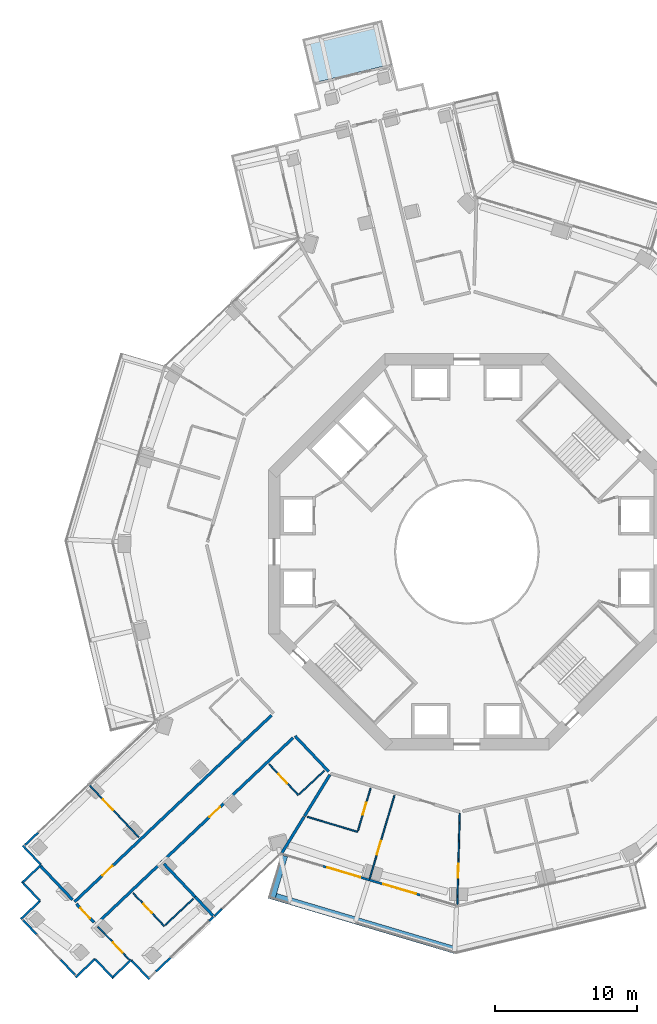
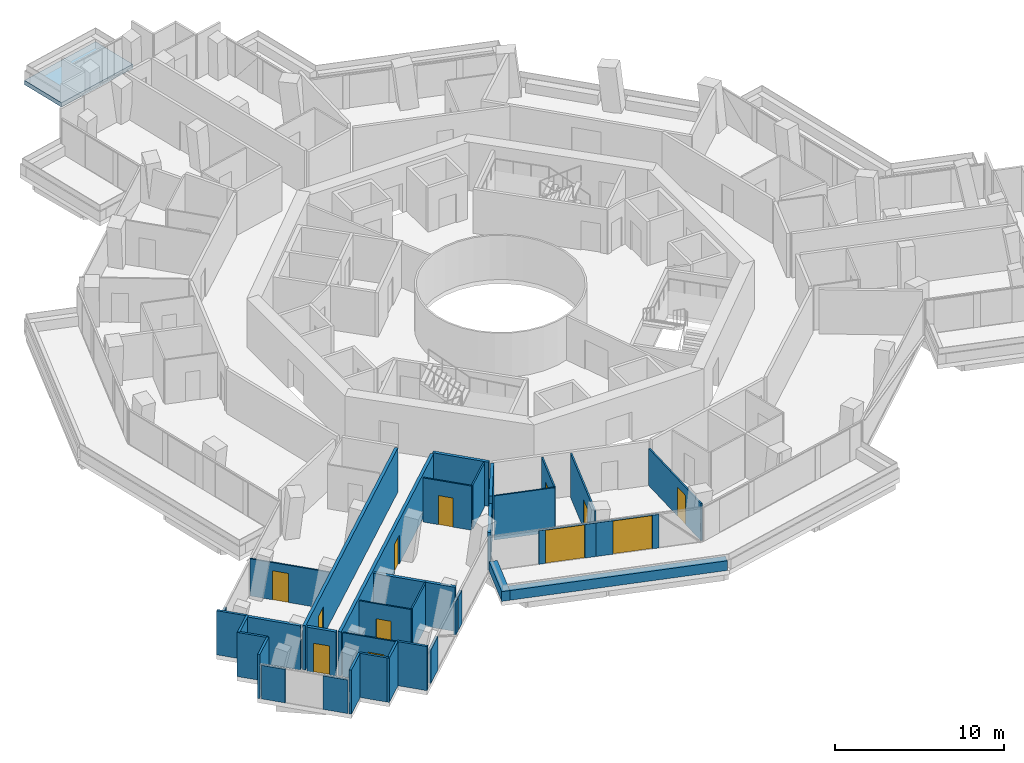
# One storey, part 18 of 27: 37 walls, 12 doors, 1 slab, 12 openings.
"""IFC4 building model written with IfcOpenShell, lengths in metres."""

from ifc_helpers import new_model, si_unit, direction, frame, frame_2d, origin, place, context, subcontext, project, spatial, polyline, rectangle, outline, extrude, material, layer, layer_set, type_object, element, fill, save


model = new_model("IFC4")

# Units and contexts
model_context = context("Model", 3, precision=1e-05, world=origin(), true_north=direction((0.0, 1.0)))
body_context = subcontext(model_context, "Body", "Model", "MODEL_VIEW")
ifc_project = project(units=[si_unit("LENGTHUNIT", "METRE"), si_unit("AREAUNIT", "SQUARE_METRE"), si_unit("VOLUMEUNIT", "CUBIC_METRE"), si_unit("PLANEANGLEUNIT", "RADIAN"), si_unit("MASSUNIT", "GRAM", prefix="KILO")], contexts=[model_context])

# Site, building, storey
site_placement = place(None, origin())
site = spatial("IfcSite", under=ifc_project, at=site_placement, CompositionType="ELEMENT")
building_placement = place(site_placement, origin())
building = spatial("IfcBuilding", under=site, at=building_placement, Name="Verdalira Terraces Hotel", CompositionType="ELEMENT")
storey_placement = place(building_placement, frame((0.0, 0.0, 89.5)))
storey = spatial("IfcBuildingStorey", under=building, at=storey_placement, Name="L20", CompositionType="ELEMENT", Elevation=89.5)

# Slab
ifc_material_1 = material(Name="Precast concrete C40/50", Category="concrete")
ifc_layer_1 = layer(ifc_material_1, 0.31005859375)
ifc_layer_set_1 = layer_set([ifc_layer_1], Name="Balcony deck 310")
slab_type = type_object("IfcSlabType", Name="Balcony deck 310", PredefinedType="FLOOR", material=ifc_layer_set_1)
slab_placement = place(storey_placement, frame((0.0, 0.0, -0.310059)))
element("IfcSlab", 1, at=slab_placement, inside=storey, type_object=slab_type, Name="Balcony deck", PredefinedType="FLOOR", context=body_context, shape_type="SweptSolid", body=[
    extrude(outline(polyline([(-11.63501, 36.210449), (-10.891113, 33.098145), (-5.25, 34.446289), (-5.993896, 37.558594), (-11.63501, 36.210449)])), origin(), (0.0, 0.0, 1.0), 0.310059),
])

# Walls
ifc_material_2 = material(Name="Concrete C40", Category="concrete")
ifc_layer_2 = layer(ifc_material_2, 0.5)
ifc_layer_set_2 = layer_set([ifc_layer_2], Name="Balcony planter trough with tree")
wall_type_1 = type_object("IfcWallType", Name="Balcony planter trough with tree", PredefinedType="SOLIDWALL", material=ifc_layer_set_2)
wall_1_placement = place(storey_placement, frame((-12.905029, -21.47168, 0.0), z_axis=(0.0, 0.0, 1.0), x_axis=(-0.285036595, -0.958516635, 0.0)))
element("IfcWall", 2, at=wall_1_placement, inside=storey, type_object=wall_type_1, Name="Balcony planter", PredefinedType="SOLIDWALL", context=body_context, shape_type="SweptSolid", body=[
    extrude(rectangle(XDim=3.199219, YDim=0.5, at=frame_2d((1.599609, 0.0))), origin(), (0.0, 0.0, 1.0), 0.699951),
])
wall_2_placement = place(storey_placement, frame((-13.506104, -24.369629, 0.0), z_axis=(0.0, 0.0, 1.0), x_axis=(0.958520135, -0.285024825, 0.0)))
element("IfcWall", 3, at=wall_2_placement, inside=storey, type_object=wall_type_1, Name="Balcony planter", PredefinedType="SOLIDWALL", context=body_context, shape_type="SweptSolid", body=[
    extrude(rectangle(XDim=13.223633, YDim=0.5, at=frame_2d((6.611816, 0.0))), origin(), (0.0, 0.0, 1.0), 0.699951),
])

# Wall, opening, door
ifc_material_3 = material(Name="Moisture-resistant gypsum board partition")
ifc_layer_3 = layer(ifc_material_3, 0.10009765625)
ifc_layer_set_3 = layer_set([ifc_layer_3], Name="Bathroom partition 100 mm")
wall_type_2 = type_object("IfcWallType", Name="Bathroom partition 100 mm", PredefinedType="PARTITIONING", material=ifc_layer_set_3)
wall_3_placement = place(storey_placement, frame((-26.061035, -26.469482, 0.0), z_axis=(0.0, 0.0, 1.0), x_axis=(0.687588459, -0.72610062, 0.0)))
wall_3 = element("IfcWall", 4, at=wall_3_placement, inside=storey, type_object=wall_type_2, Name="Bathroom partition", PredefinedType="PARTITIONING", context=body_context, shape_type="SweptSolid", body=[
    extrude(rectangle(XDim=3.251953, YDim=0.100098, at=frame_2d((1.625977, 0.0))), origin(), (0.0, 0.0, 1.0), 3.189941),
])
opening_1_placement = place(wall_3_placement, frame((1.550049, 0.0, 0.0)))
opening_1 = element("IfcOpeningElement", 5, at=opening_1_placement, cuts=wall_3, Name="Opening L20-117", PredefinedType="OPENING", context=body_context, shape_type="SweptSolid", body=[
    extrude(rectangle(XDim=1.0, YDim=2.100098, at=frame_2d((0.5, 1.050049))), frame((0.0, 0.060059, 0.0), z_axis=(0.0, -1.0, 0.0), x_axis=(1.0, 0.0, 0.0)), (0.0, 0.0, 1.0), 0.120117),
])
ifc_material_4 = material(Name="Timber door", Category="wood")
door_type_1 = type_object("IfcDoorType", Name="Suite internal door 1000 x 2100", OperationType="NOTDEFINED", PredefinedType="DOOR", material=ifc_material_4)
door_1_placement = place(opening_1_placement, origin())
door_1 = element("IfcDoor", 6, at=door_1_placement, inside=storey, type_object=door_type_1, Name="Suite internal door 2006", OperationType="SINGLE_SWING_LEFT", OverallHeight=2.10009765625, OverallWidth=1.0, PredefinedType="DOOR", context=body_context, shape_type="SweptSolid", body=[
    extrude(rectangle(XDim=1.0, YDim=2.100098, at=frame_2d((0.5, 1.050049))), frame((0.0, 0.024902, 0.0), z_axis=(0.0, -1.0, 0.0), x_axis=(1.0, 0.0, 0.0)), (0.0, 0.0, 1.0), 0.050049),
])
fill(opening_1, door_1)

wall_4_placement = place(storey_placement, frame((-23.568848, -24.109619, 0.0), z_axis=(0.0, 0.0, 1.0), x_axis=(0.687619786, -0.726070954, 0.0)))
wall_4 = element("IfcWall", 7, at=wall_4_placement, inside=storey, type_object=wall_type_2, Name="Bathroom partition", PredefinedType="PARTITIONING", context=body_context, shape_type="SweptSolid", body=[
    extrude(rectangle(XDim=3.200195, YDim=0.100098, at=frame_2d((1.600098, 0.0))), origin(), (0.0, 0.0, 1.0), 3.189941),
])
opening_2_placement = place(wall_4_placement, frame((1.050049, 0.0, 0.0)))
opening_2 = element("IfcOpeningElement", 8, at=opening_2_placement, cuts=wall_4, Name="Opening L20-118", PredefinedType="OPENING", context=body_context, shape_type="SweptSolid", body=[
    extrude(rectangle(XDim=0.899902, YDim=2.100098, at=frame_2d((0.449951, 1.050049))), frame((0.0, 0.060059, 0.0), z_axis=(0.0, -1.0, 0.0), x_axis=(1.0, 0.0, 0.0)), (0.0, 0.0, 1.0), 0.120117),
])
ifc_material_5 = material(Name="Timber door", Category="wood")
door_type_2 = type_object("IfcDoorType", Name="Bathroom door 900 x 2100", OperationType="NOTDEFINED", PredefinedType="DOOR", material=ifc_material_5)
door_2_placement = place(opening_2_placement, origin())
door_2 = element("IfcDoor", 9, at=door_2_placement, inside=storey, type_object=door_type_2, Name="Bathroom door 2006", OperationType="SINGLE_SWING_RIGHT", OverallHeight=2.10009765625, OverallWidth=0.89990234375, PredefinedType="DOOR", context=body_context, shape_type="SweptSolid", body=[
    extrude(rectangle(XDim=0.899902, YDim=2.100098, at=frame_2d((0.449951, 1.050049))), frame((0.0, 0.024902, 0.0), z_axis=(0.0, -1.0, 0.0), x_axis=(1.0, 0.0, 0.0)), (0.0, 0.0, 1.0), 0.050049),
])
fill(opening_2, door_2)

# Wall
wall_5_placement = place(storey_placement, frame((-21.295898, -26.364258, 0.0), z_axis=(0.0, 0.0, 1.0), x_axis=(0.726104737, 0.687584112, 0.0)))
element("IfcWall", 10, at=wall_5_placement, inside=storey, type_object=wall_type_2, Name="Bathroom partition", PredefinedType="PARTITIONING", context=body_context, shape_type="SweptSolid", body=[
    extrude(rectangle(XDim=2.699951, YDim=0.100098, at=frame_2d((1.350098, 0.0))), origin(), (0.0, 0.0, 1.0), 3.189941),
])

# Wall, opening, door
wall_6_placement = place(storey_placement, frame((-13.960693, -15.010986, 0.0), z_axis=(0.0, 0.0, 1.0), x_axis=(0.687597908, -0.726091672, 0.0)))
wall_6 = element("IfcWall", 11, at=wall_6_placement, inside=storey, type_object=wall_type_2, Name="Bathroom partition", PredefinedType="PARTITIONING", context=body_context, shape_type="SweptSolid", body=[
    extrude(rectangle(XDim=3.0, YDim=0.100098, at=frame_2d((1.5, 0.0))), origin(), (0.0, 0.0, 1.0), 3.189941),
])
opening_3_placement = place(wall_6_placement, frame((0.949951, 0.0, 0.0)))
opening_3 = element("IfcOpeningElement", 12, at=opening_3_placement, cuts=wall_6, Name="Opening L20-120", PredefinedType="OPENING", context=body_context, shape_type="SweptSolid", body=[
    extrude(rectangle(XDim=0.899902, YDim=2.100098, at=frame_2d((0.449951, 1.050049))), frame((0.0, 0.060059, 0.0), z_axis=(0.0, -1.0, 0.0), x_axis=(1.0, 0.0, 0.0)), (0.0, 0.0, 1.0), 0.120117),
])
door_3_placement = place(opening_3_placement, origin())
door_3 = element("IfcDoor", 13, at=door_3_placement, inside=storey, type_object=door_type_2, Name="Bathroom door 2007", OperationType="SINGLE_SWING_RIGHT", OverallHeight=2.10009765625, OverallWidth=0.89990234375, PredefinedType="DOOR", context=body_context, shape_type="SweptSolid", body=[
    extrude(rectangle(XDim=0.899902, YDim=2.100098, at=frame_2d((0.449951, 1.050049))), frame((0.0, 0.024902, 0.0), z_axis=(0.0, -1.0, 0.0), x_axis=(1.0, 0.0, 0.0)), (0.0, 0.0, 1.0), 0.050049),
])
fill(opening_3, door_3)

# Walls
wall_7_placement = place(storey_placement, frame((-10.082764, -15.470215, 0.0), z_axis=(0.0, 0.0, 1.0), x_axis=(-0.726070281, -0.687620496, 0.0)))
element("IfcWall", 14, at=wall_7_placement, inside=storey, type_object=wall_type_2, Name="Bathroom partition", PredefinedType="PARTITIONING", context=body_context, shape_type="SweptSolid", body=[
    extrude(rectangle(XDim=2.400146, YDim=0.100098, at=frame_2d((1.200195, 0.0))), origin(), (0.0, 0.0, 1.0), 3.189941),
])
wall_8_placement = place(storey_placement, frame((-11.266357, -18.723877, 0.0), z_axis=(0.0, 0.0, 1.0), x_axis=(0.958529057, -0.284994818, 0.0)))
element("IfcWall", 15, at=wall_8_placement, inside=storey, type_object=wall_type_2, Name="Bathroom partition", PredefinedType="PARTITIONING", context=body_context, shape_type="SweptSolid", body=[
    extrude(rectangle(XDim=3.704102, YDim=0.100098, at=frame_2d((1.852051, 0.0))), origin(), (0.0, 0.0, 1.0), 3.189941),
])

# Wall, opening, door
wall_9_placement = place(storey_placement, frame((-7.6875, -19.683594, 0.0), z_axis=(0.0, 0.0, 1.0), x_axis=(0.285034809, 0.958517166, 0.0)))
wall_9 = element("IfcWall", 16, at=wall_9_placement, inside=storey, type_object=wall_type_2, Name="Bathroom partition", PredefinedType="PARTITIONING", context=body_context, shape_type="SweptSolid", body=[
    extrude(rectangle(XDim=3.099854, YDim=0.100098, at=frame_2d((1.549805, 0.0))), origin(), (0.0, 0.0, 1.0), 3.189941),
])
opening_4_placement = place(wall_9_placement, frame((1.149902, 0.0, 0.0)))
opening_4 = element("IfcOpeningElement", 17, at=opening_4_placement, cuts=wall_9, Name="Opening L20-124", PredefinedType="OPENING", context=body_context, shape_type="SweptSolid", body=[
    extrude(rectangle(XDim=0.899902, YDim=2.100098, at=frame_2d((0.449951, 1.050049))), frame((0.0, 0.060059, 0.0), z_axis=(0.0, -1.0, 0.0), x_axis=(1.0, 0.0, 0.0)), (0.0, 0.0, 1.0), 0.120117),
])
door_4_placement = place(opening_4_placement, origin())
door_4 = element("IfcDoor", 18, at=door_4_placement, inside=storey, type_object=door_type_2, Name="Bathroom door 2008", OperationType="SINGLE_SWING_LEFT", OverallHeight=2.10009765625, OverallWidth=0.89990234375, PredefinedType="DOOR", context=body_context, shape_type="SweptSolid", body=[
    extrude(rectangle(XDim=0.899902, YDim=2.100098, at=frame_2d((0.449951, 1.050049))), frame((0.0, 0.024902, 0.0), z_axis=(0.0, -1.0, 0.0), x_axis=(1.0, 0.0, 0.0)), (0.0, 0.0, 1.0), 0.050049),
])
fill(opening_4, door_4)

wall_10_placement = place(storey_placement, frame((-6.871338, -23.108398, 0.0), z_axis=(0.0, 0.0, 1.0), x_axis=(0.285023499, 0.958520529, 0.0)))
wall_10 = element("IfcWall", 19, at=wall_10_placement, inside=storey, type_object=wall_type_2, Name="Bathroom partition", PredefinedType="PARTITIONING", context=body_context, shape_type="SweptSolid", body=[
    extrude(rectangle(XDim=6.150146, YDim=0.100098, at=frame_2d((3.075195, 0.0))), origin(), (0.0, 0.0, 1.0), 3.189941),
])
opening_5_placement = place(wall_10_placement, frame((1.800049, 0.0, 0.0)))
opening_5 = element("IfcOpeningElement", 20, at=opening_5_placement, cuts=wall_10, Name="Opening L20-122", PredefinedType="OPENING", context=body_context, shape_type="SweptSolid", body=[
    extrude(rectangle(XDim=1.0, YDim=2.100098, at=frame_2d((0.5, 1.050049))), frame((0.0, 0.060059, 0.0), z_axis=(0.0, -1.0, 0.0), x_axis=(1.0, 0.0, 0.0)), (0.0, 0.0, 1.0), 0.120117),
])
door_5_placement = place(opening_5_placement, origin())
door_5 = element("IfcDoor", 21, at=door_5_placement, inside=storey, type_object=door_type_1, Name="Suite internal door 2008", OperationType="SINGLE_SWING_LEFT", OverallHeight=2.10009765625, OverallWidth=1.0, PredefinedType="DOOR", context=body_context, shape_type="SweptSolid", body=[
    extrude(rectangle(XDim=1.0, YDim=2.100098, at=frame_2d((0.5, 1.050049))), frame((0.0, 0.024902, 0.0), z_axis=(0.0, -1.0, 0.0), x_axis=(1.0, 0.0, 0.0)), (0.0, 0.0, 1.0), 0.050049),
])
fill(opening_5, door_5)

ifc_material_6 = material(Name="Moisture-resistant gypsum board partition")
ifc_layer_4 = layer(ifc_material_6, 0.10009765625)
ifc_layer_set_4 = layer_set([ifc_layer_4], Name="Bathroom partition 100 mm to beam soffit")
wall_type_3 = type_object("IfcWallType", Name="Bathroom partition 100 mm to beam soffit", PredefinedType="PARTITIONING", material=ifc_layer_set_4)
wall_11_placement = place(storey_placement, frame((-26.650635, -16.492188, 0.0), z_axis=(0.0, 0.0, 1.0), x_axis=(0.687603836, -0.726086059, 0.0)))
wall_11 = element("IfcWall", 22, at=wall_11_placement, inside=storey, type_object=wall_type_3, Name="Bathroom partition", PredefinedType="PARTITIONING", context=body_context, shape_type="SweptSolid", body=[
    extrude(rectangle(XDim=5.050049, YDim=0.100098, at=frame_2d((2.524902, 0.0))), origin(), (0.0, 0.0, 1.0), 2.689941),
])
opening_6_placement = place(wall_11_placement, frame((1.399902, 0.0, 0.0)))
opening_6 = element("IfcOpeningElement", 23, at=opening_6_placement, cuts=wall_11, Name="Opening L20-114", PredefinedType="OPENING", context=body_context, shape_type="SweptSolid", body=[
    extrude(rectangle(XDim=1.0, YDim=2.100098, at=frame_2d((0.5, 1.050049))), frame((0.0, 0.060059, 0.0), z_axis=(0.0, -1.0, 0.0), x_axis=(1.0, 0.0, 0.0)), (0.0, 0.0, 1.0), 0.120117),
])
door_6_placement = place(opening_6_placement, origin())
door_6 = element("IfcDoor", 24, at=door_6_placement, inside=storey, type_object=door_type_1, Name="Suite internal door 2005", OperationType="SINGLE_SWING_LEFT", OverallHeight=2.10009765625, OverallWidth=1.0, PredefinedType="DOOR", context=body_context, shape_type="SweptSolid", body=[
    extrude(rectangle(XDim=1.0, YDim=2.100098, at=frame_2d((0.5, 1.050049))), frame((0.0, 0.024902, 0.0), z_axis=(0.0, -1.0, 0.0), x_axis=(1.0, 0.0, 0.0)), (0.0, 0.0, 1.0), 0.050049),
])
fill(opening_6, door_6)

wall_12_placement = place(storey_placement, frame((-0.503418, -18.481445, 0.0), z_axis=(0.0, 0.0, 1.0), x_axis=(-0.02721978, -0.999629473, 0.0)))
wall_12 = element("IfcWall", 25, at=wall_12_placement, inside=storey, type_object=wall_type_3, Name="Bathroom partition", PredefinedType="PARTITIONING", context=body_context, shape_type="SweptSolid", body=[
    extrude(rectangle(XDim=6.47583, YDim=0.100098, at=frame_2d((3.237793, 0.0))), origin(), (0.0, 0.0, 1.0), 2.689941),
])
opening_7_placement = place(wall_12_placement, frame((3.550049, 0.0, 0.0)))
opening_7 = element("IfcOpeningElement", 26, at=opening_7_placement, cuts=wall_12, Name="Opening L20-123", PredefinedType="OPENING", context=body_context, shape_type="SweptSolid", body=[
    extrude(rectangle(XDim=1.0, YDim=2.100098, at=frame_2d((0.5, 1.050049))), frame((0.0, 0.060059, 0.0), z_axis=(0.0, -1.0, 0.0), x_axis=(1.0, 0.0, 0.0)), (0.0, 0.0, 1.0), 0.120117),
])
door_7_placement = place(opening_7_placement, origin())
door_7 = element("IfcDoor", 27, at=door_7_placement, inside=storey, type_object=door_type_1, Name="Suite internal door 2008", OperationType="SINGLE_SWING_LEFT", OverallHeight=2.10009765625, OverallWidth=1.0, PredefinedType="DOOR", context=body_context, shape_type="SweptSolid", body=[
    extrude(rectangle(XDim=1.0, YDim=2.100098, at=frame_2d((0.5, 1.050049))), frame((0.0, 0.024902, 0.0), z_axis=(0.0, -1.0, 0.0), x_axis=(1.0, 0.0, 0.0)), (0.0, 0.0, 1.0), 0.050049),
])
fill(opening_7, door_7)

# Walls
ifc_material_7 = material(Name="Fire-rated gypsum board wall")
ifc_layer_5 = layer(ifc_material_7, 0.199951171875)
ifc_layer_set_5 = layer_set([ifc_layer_5], Name="Demising wall 200 mm")
wall_type_4 = type_object("IfcWallType", Name="Demising wall 200 mm", PredefinedType="SOLIDWALL", material=ifc_layer_set_5)
wall_13_placement = place(storey_placement, frame((-27.848877, -24.581787, 0.0), z_axis=(0.0, 0.0, 1.0), x_axis=(-0.687575855, 0.726112555, 0.0)))
element("IfcWall", 28, at=wall_13_placement, inside=storey, type_object=wall_type_4, Name="Demising wall", PredefinedType="SOLIDWALL", context=body_context, shape_type="SweptSolid", body=[
    extrude(rectangle(XDim=3.25, YDim=0.199951, at=frame_2d((1.625, 0.0))), origin(), (0.0, 0.0, 1.0), 3.189941),
])
wall_14_placement = place(storey_placement, frame((-21.390381, -22.046631, 0.0), z_axis=(0.0, 0.0, 1.0), x_axis=(0.687579563, -0.726109044, 0.0)))
element("IfcWall", 29, at=wall_14_placement, inside=storey, type_object=wall_type_4, Name="Demising wall", PredefinedType="SOLIDWALL", context=body_context, shape_type="SweptSolid", body=[
    extrude(rectangle(XDim=3.199951, YDim=0.199951, at=frame_2d((1.600098, 0.0))), origin(), (0.0, 0.0, 1.0), 3.189941),
])
wall_15_placement = place(storey_placement, frame((-19.190186, -24.370117, 0.0), z_axis=(0.0, 0.0, 1.0), x_axis=(0.687576244, -0.726112187, 0.0)))
element("IfcWall", 30, at=wall_15_placement, inside=storey, type_object=wall_type_4, Name="Demising wall", PredefinedType="SOLIDWALL", context=body_context, shape_type="SweptSolid", body=[
    extrude(rectangle(XDim=1.849854, YDim=0.199951, at=frame_2d((0.924805, 0.0))), origin(), (0.0, 0.0, 1.0), 3.189941),
])
wall_16_placement = place(storey_placement, frame((-9.676514, -15.753662, 0.0), z_axis=(0.0, 0.0, 1.0), x_axis=(-0.523415884, -0.852077351, 0.0)))
element("IfcWall", 31, at=wall_16_placement, inside=storey, type_object=wall_type_4, Name="Demising wall", PredefinedType="SOLIDWALL", context=body_context, shape_type="SweptSolid", body=[
    extrude(rectangle(XDim=3.418457, YDim=0.199951, at=frame_2d((1.709229, 0.0))), origin(), (0.0, 0.0, 1.0), 3.189941),
])
ifc_material_8 = material(Name="Fire-rated gypsum board wall")
ifc_layer_6 = layer(ifc_material_8, 0.199951171875)
ifc_layer_set_6 = layer_set([ifc_layer_6], Name="Demising wall 200 mm to beam soffit")
wall_type_5 = type_object("IfcWallType", Name="Demising wall 200 mm to beam soffit", PredefinedType="SOLIDWALL", material=ifc_layer_set_6)
wall_17_placement = place(storey_placement, frame((-11.489746, -18.705811, 0.0), z_axis=(0.0, 0.0, 1.0), x_axis=(-0.523409697, -0.852081152, 0.0)))
element("IfcWall", 32, at=wall_17_placement, inside=storey, type_object=wall_type_5, Name="Demising wall", PredefinedType="SOLIDWALL", context=body_context, shape_type="SweptSolid", body=[
    extrude(rectangle(XDim=3.011475, YDim=0.199951, at=frame_2d((1.505859, 0.0))), origin(), (0.0, 0.0, 1.0), 2.689941),
])

# Wall, opening, door
ifc_material_9 = material(Name="Fire-rated gypsum board wall")
ifc_layer_7 = layer(ifc_material_9, 0.199951171875)
ifc_layer_set_7 = layer_set([ifc_layer_7], Name="Guest corridor wall 200 mm")
wall_type_6 = type_object("IfcWallType", Name="Guest corridor wall 200 mm", PredefinedType="SOLIDWALL", material=ifc_layer_set_7)
wall_18_placement = place(storey_placement, frame((-26.334717, -26.180664, 0.0), z_axis=(0.0, 0.0, 1.0), x_axis=(-0.687560709, 0.726126897, 0.0)))
wall_18 = element("IfcWall", 33, at=wall_18_placement, inside=storey, type_object=wall_type_6, Name="Guest corridor wall", PredefinedType="SOLIDWALL", context=body_context, shape_type="SweptSolid", body=[
    extrude(rectangle(XDim=1.804199, YDim=0.199951, at=frame_2d((0.9021, 0.0))), origin(), (0.0, 0.0, 1.0), 3.189941),
])
opening_8_placement = place(wall_18_placement, frame((0.399902, 0.0, 0.0)))
opening_8 = element("IfcOpeningElement", 34, at=opening_8_placement, cuts=wall_18, Name="Opening L20-116", PredefinedType="OPENING", context=body_context, shape_type="SweptSolid", body=[
    extrude(rectangle(XDim=1.0, YDim=2.100098, at=frame_2d((0.5, 1.050049))), frame((0.0, 0.109863, 0.0), z_axis=(0.0, -1.0, 0.0), x_axis=(1.0, 0.0, 0.0)), (0.0, 0.0, 1.0), 0.219971),
])
ifc_material_10 = material(Name="Timber fire door", Category="wood")
door_type_3 = type_object("IfcDoorType", Name="Guest entry door 1000 x 2100", OperationType="NOTDEFINED", PredefinedType="DOOR", material=ifc_material_10)
door_8_placement = place(opening_8_placement, origin())
door_8 = element("IfcDoor", 35, at=door_8_placement, inside=storey, type_object=door_type_3, Name="Guest entry door 2006", OperationType="SINGLE_SWING_LEFT", OverallHeight=2.10009765625, OverallWidth=1.0, PredefinedType="DOOR", context=body_context, shape_type="SweptSolid", body=[
    extrude(rectangle(XDim=1.0, YDim=2.100098, at=frame_2d((0.5, 1.050049))), frame((0.0, 0.024902, 0.0), z_axis=(0.0, -1.0, 0.0), x_axis=(1.0, 0.0, 0.0)), (0.0, 0.0, 1.0), 0.050049),
])
fill(opening_8, door_8)

wall_19_placement = place(storey_placement, frame((-27.711182, -24.727051, 0.0), z_axis=(0.0, 0.0, 1.0), x_axis=(0.726087239, 0.68760259, 0.0)))
wall_19 = element("IfcWall", 36, at=wall_19_placement, inside=storey, type_object=wall_type_6, Name="Guest corridor wall", PredefinedType="SOLIDWALL", context=body_context, shape_type="SweptSolid", body=[
    extrude(rectangle(XDim=19.164795, YDim=0.199951, at=frame_2d((9.58252, 0.0))), origin(), (0.0, 0.0, 1.0), 3.189941),
])
opening_9_placement = place(wall_19_placement, frame((2.699951, 0.0, 0.0)))
opening_9 = element("IfcOpeningElement", 37, at=opening_9_placement, cuts=wall_19, Name="Opening L20-113", PredefinedType="OPENING", context=body_context, shape_type="SweptSolid", body=[
    extrude(rectangle(XDim=1.0, YDim=2.100098, at=frame_2d((0.5, 1.050049))), frame((0.0, 0.109863, 0.0), z_axis=(0.0, -1.0, 0.0), x_axis=(1.0, 0.0, 0.0)), (0.0, 0.0, 1.0), 0.219971),
])
door_9_placement = place(opening_9_placement, origin())
door_9 = element("IfcDoor", 38, at=door_9_placement, inside=storey, type_object=door_type_3, Name="Guest entry door 2005", OperationType="SINGLE_SWING_LEFT", OverallHeight=2.10009765625, OverallWidth=1.0, PredefinedType="DOOR", context=body_context, shape_type="SweptSolid", body=[
    extrude(rectangle(XDim=1.0, YDim=2.100098, at=frame_2d((0.5, 1.050049))), frame((0.0, 0.024902, 0.0), z_axis=(0.0, -1.0, 0.0), x_axis=(1.0, 0.0, 0.0)), (0.0, 0.0, 1.0), 0.050049),
])
fill(opening_9, door_9)

wall_20_placement = place(storey_placement, frame((-12.283203, -13.146729, 0.0), z_axis=(0.0, 0.0, 1.0), x_axis=(-0.726087239, -0.68760259, 0.0)))
wall_20 = element("IfcWall", 39, at=wall_20_placement, inside=storey, type_object=wall_type_6, Name="Guest corridor wall", PredefinedType="SOLIDWALL", context=body_context, shape_type="SweptSolid", body=[
    extrude(rectangle(XDim=19.164795, YDim=0.199951, at=frame_2d((9.58252, 0.0))), origin(), (0.0, 0.0, 1.0), 3.189941),
])
opening_10_placement = place(wall_20_placement, frame((7.100098, 0.0, 0.0)))
opening_10 = element("IfcOpeningElement", 40, at=opening_10_placement, cuts=wall_20, Name="Opening L20-119", PredefinedType="OPENING", context=body_context, shape_type="SweptSolid", body=[
    extrude(rectangle(XDim=1.0, YDim=2.100098, at=frame_2d((0.5, 1.050049))), frame((0.0, 0.109863, 0.0), z_axis=(0.0, -1.0, 0.0), x_axis=(1.0, 0.0, 0.0)), (0.0, 0.0, 1.0), 0.219971),
])
door_10_placement = place(opening_10_placement, origin())
door_10 = element("IfcDoor", 41, at=door_10_placement, inside=storey, type_object=door_type_3, Name="Guest entry door 2007", OperationType="SINGLE_SWING_RIGHT", OverallHeight=2.10009765625, OverallWidth=1.0, PredefinedType="DOOR", context=body_context, shape_type="SweptSolid", body=[
    extrude(rectangle(XDim=1.0, YDim=2.100098, at=frame_2d((0.5, 1.050049))), frame((0.0, 0.024902, 0.0), z_axis=(0.0, -1.0, 0.0), x_axis=(1.0, 0.0, 0.0)), (0.0, 0.0, 1.0), 0.050049),
])
fill(opening_10, door_10)

# Walls
wall_21_placement = place(storey_placement, frame((-12.137939, -13.009277, 0.0), z_axis=(0.0, 0.0, 1.0), x_axis=(0.687607566, -0.726082527, 0.0)))
element("IfcWall", 42, at=wall_21_placement, inside=storey, type_object=wall_type_6, Name="Guest corridor wall", PredefinedType="SOLIDWALL", context=body_context, shape_type="SweptSolid", body=[
    extrude(rectangle(XDim=3.458252, YDim=0.199951, at=frame_2d((1.729004, 0.0))), origin(), (0.0, 0.0, 1.0), 3.189941),
])
ifc_material_11 = material(Name="Terracotta cladding", Category="masonry")
ifc_layer_8 = layer(ifc_material_11, 0.14990234375)
ifc_layer_set_8 = layer_set([ifc_layer_8], Name="Terracotta clad wall 150")
wall_type_7 = type_object("IfcWallType", Name="Terracotta clad wall 150", PredefinedType="SOLIDWALL", material=ifc_layer_set_8)
wall_22_placement = place(storey_placement, frame((-31.369873, -20.754395, 0.0), z_axis=(0.0, 0.0, 1.0), x_axis=(0.687574897, -0.726113463, 0.0)))
element("IfcWall", 43, at=wall_22_placement, inside=storey, type_object=wall_type_7, Name="Terracotta cladding wall", PredefinedType="SOLIDWALL", context=body_context, shape_type="SweptSolid", body=[
    extrude(rectangle(XDim=1.875244, YDim=0.149902, at=frame_2d((0.9375, 0.0))), origin(), (0.0, 0.0, 1.0), 3.189941),
])
wall_23_placement = place(storey_placement, frame((-30.080566, -22.115967, 0.0), z_axis=(0.0, 0.0, 1.0), x_axis=(-0.726105934, -0.687582847, 0.0)))
element("IfcWall", 44, at=wall_23_placement, inside=storey, type_object=wall_type_7, Name="Terracotta cladding wall", PredefinedType="SOLIDWALL", context=body_context, shape_type="SweptSolid", body=[
    extrude(rectangle(XDim=1.799805, YDim=0.149902, at=frame_2d((0.899902, 0.0))), origin(), (0.0, 0.0, 1.0), 3.189941),
])
wall_24_placement = place(storey_placement, frame((-31.439209, -23.299072, 0.0), z_axis=(0.0, 0.0, 1.0), x_axis=(0.687574897, -0.726113463, 0.0)))
element("IfcWall", 45, at=wall_24_placement, inside=storey, type_object=wall_type_7, Name="Terracotta cladding wall", PredefinedType="SOLIDWALL", context=body_context, shape_type="SweptSolid", body=[
    extrude(rectangle(XDim=1.875244, YDim=0.149902, at=frame_2d((0.9375, 0.0))), origin(), (0.0, 0.0, 1.0), 3.189941),
])
wall_25_placement = place(storey_placement, frame((-30.149902, -24.660645, 0.0), z_axis=(0.0, 0.0, 1.0), x_axis=(-0.726116914, -0.687571253, 0.0)))
element("IfcWall", 46, at=wall_25_placement, inside=storey, type_object=wall_type_7, Name="Terracotta cladding wall", PredefinedType="SOLIDWALL", context=body_context, shape_type="SweptSolid", body=[
    extrude(rectangle(XDim=1.874756, YDim=0.149902, at=frame_2d((0.9375, 0.0))), origin(), (0.0, 0.0, 1.0), 3.189941),
])
wall_26_placement = place(storey_placement, frame((-27.626465, -30.052246, 0.0), z_axis=(0.0, 0.0, 1.0), x_axis=(0.726113463, 0.687574897, 0.0)))
element("IfcWall", 47, at=wall_26_placement, inside=storey, type_object=wall_type_7, Name="Terracotta cladding wall", PredefinedType="SOLIDWALL", context=body_context, shape_type="SweptSolid", body=[
    extrude(rectangle(XDim=1.875244, YDim=0.149902, at=frame_2d((0.9375, 0.0))), origin(), (0.0, 0.0, 1.0), 3.189941),
])
wall_27_placement = place(storey_placement, frame((-26.264893, -28.762939, 0.0), z_axis=(0.0, 0.0, 1.0), x_axis=(0.687515129, -0.726170054, 0.0)))
element("IfcWall", 48, at=wall_27_placement, inside=storey, type_object=wall_type_7, Name="Terracotta cladding wall", PredefinedType="SOLIDWALL", context=body_context, shape_type="SweptSolid", body=[
    extrude(rectangle(XDim=1.800049, YDim=0.149902, at=frame_2d((0.899902, 0.0))), origin(), (0.0, 0.0, 1.0), 3.189941),
])
wall_28_placement = place(storey_placement, frame((-25.081787, -30.121582, 0.0), z_axis=(0.0, 0.0, 1.0), x_axis=(0.726113463, 0.687574897, 0.0)))
element("IfcWall", 49, at=wall_28_placement, inside=storey, type_object=wall_type_7, Name="Terracotta cladding wall", PredefinedType="SOLIDWALL", context=body_context, shape_type="SweptSolid", body=[
    extrude(rectangle(XDim=1.875244, YDim=0.149902, at=frame_2d((0.9375, 0.0))), origin(), (0.0, 0.0, 1.0), 3.189941),
])
wall_29_placement = place(storey_placement, frame((-23.720215, -28.832275, 0.0), z_axis=(0.0, 0.0, 1.0), x_axis=(0.687571253, -0.726116914, 0.0)))
element("IfcWall", 50, at=wall_29_placement, inside=storey, type_object=wall_type_7, Name="Terracotta cladding wall", PredefinedType="SOLIDWALL", context=body_context, shape_type="SweptSolid", body=[
    extrude(rectangle(XDim=1.874756, YDim=0.149902, at=frame_2d((0.9375, 0.0))), origin(), (0.0, 0.0, 1.0), 3.189941),
])
ifc_material_12 = material(Name="Terracotta cladding", Category="masonry")
ifc_layer_9 = layer(ifc_material_12, 0.14990234375)
ifc_layer_set_9 = layer_set([ifc_layer_9], Name="Terracotta column pier 150")
wall_type_8 = type_object("IfcWallType", Name="Terracotta column pier 150", PredefinedType="SOLIDWALL", material=ifc_layer_set_9)
wall_30_placement = place(storey_placement, frame((-30.233398, -19.781494, 0.0), z_axis=(0.0, 0.0, 1.0), x_axis=(-0.726028764, -0.687664333, 0.0)))
element("IfcWall", 51, at=wall_30_placement, inside=storey, type_object=wall_type_8, Name="Terracotta column pier", PredefinedType="SOLIDWALL", context=body_context, shape_type="SweptSolid", body=[
    extrude(rectangle(XDim=1.349121, YDim=0.149902, at=frame_2d((0.674561, 0.0))), origin(), (0.0, 0.0, 1.0), 2.425049),
])
wall_31_placement = place(storey_placement, frame((-31.350342, -26.010742, 0.0), z_axis=(0.0, 0.0, 1.0), x_axis=(0.687634391, -0.726057122, 0.0)))
element("IfcWall", 52, at=wall_31_placement, inside=storey, type_object=wall_type_8, Name="Terracotta column pier", PredefinedType="SOLIDWALL", context=body_context, shape_type="SweptSolid", body=[
    extrude(rectangle(XDim=1.474121, YDim=0.149902, at=frame_2d((0.737061, 0.0))), origin(), (0.0, 0.0, 1.0), 2.425049),
])
wall_32_placement = place(storey_placement, frame((-28.723633, -28.784424, 0.0), z_axis=(0.0, 0.0, 1.0), x_axis=(0.687570888, -0.726117259, 0.0)))
element("IfcWall", 53, at=wall_32_placement, inside=storey, type_object=wall_type_8, Name="Terracotta column pier", PredefinedType="SOLIDWALL", context=body_context, shape_type="SweptSolid", body=[
    extrude(rectangle(XDim=1.52002, YDim=0.149902, at=frame_2d((0.76001, 0.0))), origin(), (0.0, 0.0, 1.0), 2.425049),
])
wall_33_placement = place(storey_placement, frame((-21.970703, -29.654541, 0.0), z_axis=(0.0, 0.0, 1.0), x_axis=(0.726009111, 0.687685081, 0.0)))
element("IfcWall", 54, at=wall_33_placement, inside=storey, type_object=wall_type_8, Name="Terracotta column pier", PredefinedType="SOLIDWALL", context=body_context, shape_type="SweptSolid", body=[
    extrude(rectangle(XDim=1.478027, YDim=0.149902, at=frame_2d((0.739014, 0.0))), origin(), (0.0, 0.0, 1.0), 2.425049),
])
wall_34_placement = place(storey_placement, frame((-18.193359, -26.077393, 0.0), z_axis=(0.0, 0.0, 1.0), x_axis=(0.725968143, 0.68772833, 0.0)))
element("IfcWall", 55, at=wall_34_placement, inside=storey, type_object=wall_type_8, Name="Terracotta column pier", PredefinedType="SOLIDWALL", context=body_context, shape_type="SweptSolid", body=[
    extrude(rectangle(XDim=0.415039, YDim=0.149902, at=frame_2d((0.20752, 0.0))), origin(), (0.0, 0.0, 1.0), 2.425049),
])
wall_35_placement = place(storey_placement, frame((-17.841064, -25.743896, 0.0), z_axis=(0.0, 0.0, 1.0), x_axis=(0.726115744, 0.687572488, 0.0)))
element("IfcWall", 56, at=wall_35_placement, inside=storey, type_object=wall_type_8, Name="Terracotta column pier", PredefinedType="SOLIDWALL", context=body_context, shape_type="SweptSolid", body=[
    extrude(rectangle(XDim=0.747314, YDim=0.149902, at=frame_2d((0.373535, 0.0))), origin(), (0.0, 0.0, 1.0), 2.425049),
])

# Wall, opening, door
ifc_material_13 = material(Name="Terracotta cladding", Category="masonry")
ifc_layer_10 = layer(ifc_material_13, 0.14990234375)
ifc_layer_set_10 = layer_set([ifc_layer_10], Name="Terracotta door pier 150")
wall_type_9 = type_object("IfcWallType", Name="Terracotta door pier 150", PredefinedType="SOLIDWALL", material=ifc_layer_set_10)
wall_36_placement = place(storey_placement, frame((-10.223633, -22.189697, 0.0), z_axis=(0.0, 0.0, 1.0), x_axis=(0.958517682, -0.285033074, 0.0)))
wall_36 = element("IfcWall", 57, at=wall_36_placement, inside=storey, type_object=wall_type_9, Name="Terracotta door pier", PredefinedType="SOLIDWALL", context=body_context, shape_type="SweptSolid", body=[
    extrude(rectangle(XDim=3.474854, YDim=0.149902, at=frame_2d((1.737305, 0.0))), origin(), (0.0, 0.0, 1.0), 2.425049),
])
opening_11_placement = place(wall_36_placement, frame((0.399902, 0.0, 0.0)))
opening_11 = element("IfcOpeningElement", 58, at=opening_11_placement, cuts=wall_36, Name="Opening L20-B08", PredefinedType="OPENING", context=body_context, shape_type="SweptSolid", body=[
    extrude(rectangle(XDim=2.399902, YDim=2.399902, at=frame_2d((1.199951, 1.199951))), frame((0.0, 0.084961, 0.0), z_axis=(0.0, -1.0, 0.0), x_axis=(1.0, 0.0, 0.0)), (0.0, 0.0, 1.0), 0.169922),
])
ifc_material_14 = material(Name="Clear glass", Category="glass")
door_type_4 = type_object("IfcDoorType", Name="Balcony sliding door 2400x2400", OperationType="NOTDEFINED", PredefinedType="DOOR", material=ifc_material_14)
door_11_placement = place(opening_11_placement, origin())
door_11 = element("IfcDoor", 59, at=door_11_placement, inside=storey, type_object=door_type_4, Name="Balcony sliding door", OperationType="SLIDING_TO_RIGHT", OverallHeight=2.39990234375, OverallWidth=2.39990234375, PredefinedType="DOOR", context=body_context, shape_type="SweptSolid", body=[
    extrude(rectangle(XDim=2.399902, YDim=2.399902, at=frame_2d((1.199951, 1.199951))), frame((0.0, 0.024902, 0.0), z_axis=(0.0, -1.0, 0.0), x_axis=(1.0, 0.0, 0.0)), (0.0, 0.0, 1.0), 0.050049),
])
fill(opening_11, door_11)

wall_37_placement = place(storey_placement, frame((-6.892822, -23.180176, 0.0), z_axis=(0.0, 0.0, 1.0), x_axis=(0.958518968, -0.285028749, 0.0)))
wall_37 = element("IfcWall", 60, at=wall_37_placement, inside=storey, type_object=wall_type_9, Name="Terracotta door pier", PredefinedType="SOLIDWALL", context=body_context, shape_type="SweptSolid", body=[
    extrude(rectangle(XDim=3.835693, YDim=0.149902, at=frame_2d((1.917969, 0.0))), origin(), (0.0, 0.0, 1.0), 2.425049),
])
opening_12_placement = place(wall_37_placement, frame((1.0354, 0.0, 0.0)))
opening_12 = element("IfcOpeningElement", 61, at=opening_12_placement, cuts=wall_37, Name="Opening L20-B09", PredefinedType="OPENING", context=body_context, shape_type="SweptSolid", body=[
    extrude(rectangle(XDim=2.399902, YDim=2.399902, at=frame_2d((1.199951, 1.199951))), frame((0.0, 0.084961, 0.0), z_axis=(0.0, -1.0, 0.0), x_axis=(1.0, 0.0, 0.0)), (0.0, 0.0, 1.0), 0.169922),
])
door_12_placement = place(opening_12_placement, origin())
door_12 = element("IfcDoor", 62, at=door_12_placement, inside=storey, type_object=door_type_4, Name="Balcony sliding door", OperationType="SLIDING_TO_LEFT", OverallHeight=2.39990234375, OverallWidth=2.39990234375, PredefinedType="DOOR", context=body_context, shape_type="SweptSolid", body=[
    extrude(rectangle(XDim=2.399902, YDim=2.399902, at=frame_2d((1.199951, 1.199951))), frame((0.0, 0.024902, 0.0), z_axis=(0.0, -1.0, 0.0), x_axis=(1.0, 0.0, 0.0)), (0.0, 0.0, 1.0), 0.050049),
])
fill(opening_12, door_12)

save(model, "model.ifc")
